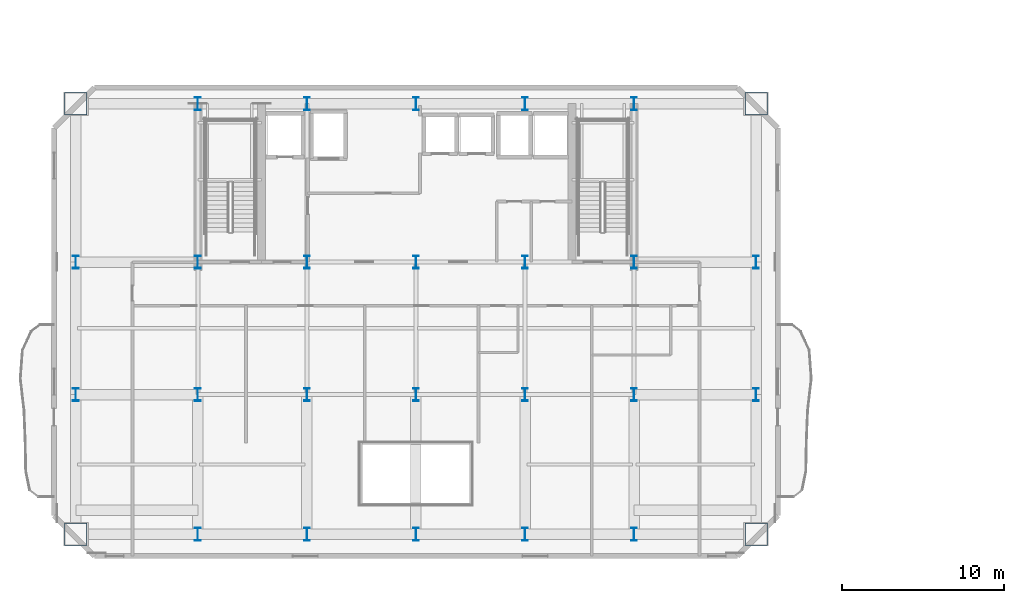
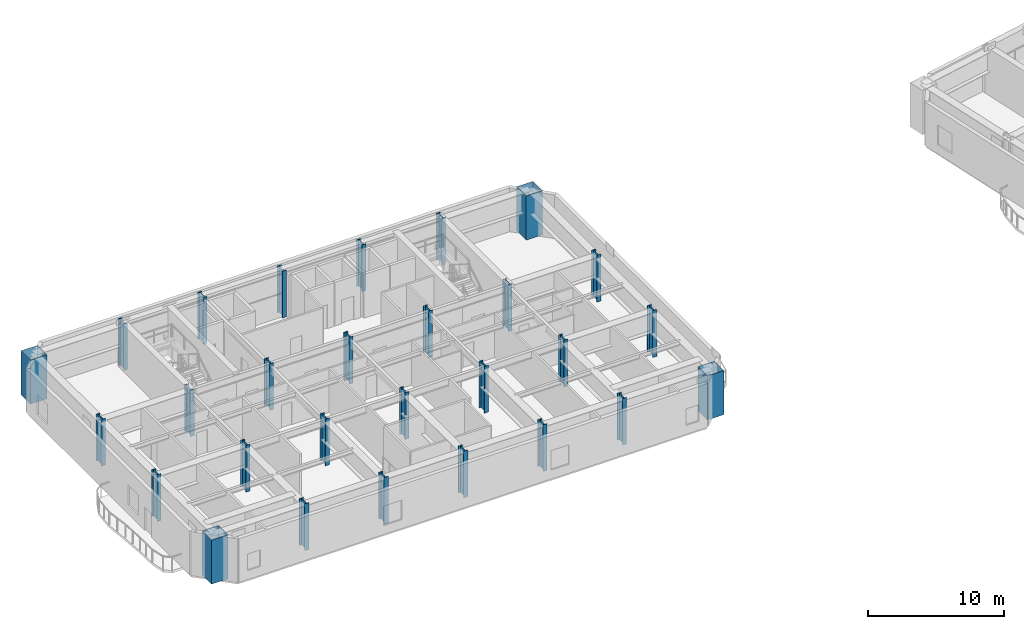
# One storey, part 1 of 15: 28 columns.
"""IFC4 building model written with IfcOpenShell, lengths in metres."""

from ifc_helpers import new_model, si_unit, direction, frame, origin, origin_2d, place, context, subcontext, project, spatial, hollow_rectangle, i_section, extrude, material, material_profile, profile_set, type_object, element, save


model = new_model("IFC4")

# Units and contexts
model_context = context("Model", 3, precision=1e-05, world=origin(), true_north=direction((0.0, 1.0)))
body_context = subcontext(model_context, "Body", "Model", "MODEL_VIEW")
ifc_project = project(units=[si_unit("LENGTHUNIT", "METRE"), si_unit("AREAUNIT", "SQUARE_METRE"), si_unit("VOLUMEUNIT", "CUBIC_METRE"), si_unit("PLANEANGLEUNIT", "RADIAN"), si_unit("MASSUNIT", "GRAM", prefix="KILO")], contexts=[model_context])

# Site, building, storey
site_placement = place(None, origin())
site = spatial("IfcSite", under=ifc_project, at=site_placement, CompositionType="ELEMENT")
building_placement = place(site_placement, origin())
building = spatial("IfcBuilding", under=site, at=building_placement, Name="Haevon Station Towers", CompositionType="ELEMENT")
storey_placement = place(building_placement, frame((0.0, 0.0, 129.60009765625)))
storey = spatial("IfcBuildingStorey", under=building, at=storey_placement, Name="L35", CompositionType="ELEMENT", Elevation=129.60009765625)

# Columns
ifc_material = material(Name="Steel S460", Category="steel")
ifc_material_profile_1 = material_profile(ifc_material, hollow_rectangle(XDim=1.39990234375, YDim=1.39990234375, WallThickness=0.035888671875, at=origin_2d()), Name="BOX-1400x1400x36")
ifc_profile_set_1 = profile_set([ifc_material_profile_1], Name="Steel S460")
column_type_1 = type_object("IfcColumnType", Name="COL-MC3", PredefinedType="COLUMN", material=ifc_profile_set_1)
for number, where, z_axis, x_axis, name in (
    (1, (16.449951171875, 21.35009765625, 0.0), (0.0, 0.0, 1.0), (1.0, 0.0, 0.0), "COL-T1-L35-01-01"),
    (2, (16.449951171875, 48.0, 0.0), (0.0, 0.0, 1.0), (1.0, 0.0, 0.0), "COL-T1-L35-01-04"),
    (3, (58.550048828125, 21.35009765625, 0.0), (0.0, 0.0, 1.0), (1.0, 0.0, 0.0), "COL-T1-L35-07-01"),
    (4, (58.550048828125, 48.0, 0.0), (0.0, 0.0, 1.0), (1.0, 0.0, 0.0), "COL-T1-L35-07-04"),
):
    element("IfcColumn", number, at=place(storey_placement, frame(where, z_axis=z_axis, x_axis=x_axis)), inside=storey, type_object=column_type_1, Name=name, PredefinedType="COLUMN", context=body_context, shape_type="SweptSolid", body=[
        extrude(hollow_rectangle(XDim=1.39990234375, YDim=1.39990234375, WallThickness=0.035888671875, at=origin_2d()), origin(), (0.0, 0.0, 1.0), 3.949951171875),
    ])
ifc_material_profile_2 = material_profile(ifc_material, i_section(OverallWidth=0.35009765625, OverallDepth=0.800048828125, WebThickness=0.01806640625, FlangeThickness=0.031982421875, at=origin_2d()), Name="H-800x350x18x32")
ifc_profile_set_2 = profile_set([ifc_material_profile_2], Name="Steel S460")
column_type_2 = type_object("IfcColumnType", Name="COL-TW2", PredefinedType="COLUMN", material=ifc_profile_set_2)
for number, where, z_axis, x_axis, name in (
    (5, (16.449951171875, 30.0, 0.0), (0.0, 0.0, 1.0), (1.0, 0.0, 0.0), "COL-T1-L35-01-02"),
    (6, (16.449951171875, 38.199951171875, 0.0), (0.0, 0.0, 1.0), (1.0, 0.0, 0.0), "COL-T1-L35-01-03"),
    (7, (24.0, 21.35009765625, 0.0), (0.0, 0.0, 1.0), (1.0, 0.0, 0.0), "COL-T1-L35-02-01"),
    (8, (24.0, 30.0, 0.0), (0.0, 0.0, 1.0), (1.0, 0.0, 0.0), "COL-T1-L35-02-02"),
    (9, (24.0, 38.199951171875, 0.0), (0.0, 0.0, 1.0), (1.0, 0.0, 0.0), "COL-T1-L35-02-03"),
    (10, (24.0, 48.0, 0.0), (0.0, 0.0, 1.0), (1.0, 0.0, 0.0), "COL-T1-L35-02-04"),
    (11, (30.75, 21.35009765625, 0.0), (0.0, 0.0, 1.0), (1.0, 0.0, 0.0), "COL-T1-L35-03-01"),
    (12, (30.75, 30.0, 0.0), (0.0, 0.0, 1.0), (1.0, 0.0, 0.0), "COL-T1-L35-03-02"),
    (13, (30.75, 38.199951171875, 0.0), (0.0, 0.0, 1.0), (1.0, 0.0, 0.0), "COL-T1-L35-03-03"),
    (14, (30.75, 48.0, 0.0), (0.0, 0.0, 1.0), (1.0, 0.0, 0.0), "COL-T1-L35-03-04"),
    (15, (37.5, 21.35009765625, 0.0), (0.0, 0.0, 1.0), (1.0, 0.0, 0.0), "COL-T1-L35-04-01"),
    (16, (37.5, 30.0, 0.0), (0.0, 0.0, 1.0), (1.0, 0.0, 0.0), "COL-T1-L35-04-02"),
    (17, (37.5, 38.199951171875, 0.0), (0.0, 0.0, 1.0), (1.0, 0.0, 0.0), "COL-T1-L35-04-03"),
    (18, (37.5, 48.0, 0.0), (0.0, 0.0, 1.0), (1.0, 0.0, 0.0), "COL-T1-L35-04-04"),
    (19, (44.25, 21.35009765625, 0.0), (0.0, 0.0, 1.0), (1.0, 0.0, 0.0), "COL-T1-L35-05-01"),
    (20, (44.25, 30.0, 0.0), (0.0, 0.0, 1.0), (1.0, 0.0, 0.0), "COL-T1-L35-05-02"),
    (21, (44.25, 38.199951171875, 0.0), (0.0, 0.0, 1.0), (1.0, 0.0, 0.0), "COL-T1-L35-05-03"),
    (22, (44.25, 48.0, 0.0), (0.0, 0.0, 1.0), (1.0, 0.0, 0.0), "COL-T1-L35-05-04"),
    (23, (51.0, 21.35009765625, 0.0), (0.0, 0.0, 1.0), (1.0, 0.0, 0.0), "COL-T1-L35-06-01"),
    (24, (51.0, 30.0, 0.0), (0.0, 0.0, 1.0), (1.0, 0.0, 0.0), "COL-T1-L35-06-02"),
    (25, (51.0, 38.199951171875, 0.0), (0.0, 0.0, 1.0), (1.0, 0.0, 0.0), "COL-T1-L35-06-03"),
    (26, (51.0, 48.0, 0.0), (0.0, 0.0, 1.0), (1.0, 0.0, 0.0), "COL-T1-L35-06-04"),
    (27, (58.550048828125, 30.0, 0.0), (0.0, 0.0, 1.0), (1.0, 0.0, 0.0), "COL-T1-L35-07-02"),
    (28, (58.550048828125, 38.199951171875, 0.0), (0.0, 0.0, 1.0), (1.0, 0.0, 0.0), "COL-T1-L35-07-03"),
):
    element("IfcColumn", number, at=place(storey_placement, frame(where, z_axis=z_axis, x_axis=x_axis)), inside=storey, type_object=column_type_2, Name=name, PredefinedType="COLUMN", context=body_context, shape_type="SweptSolid", body=[
        extrude(i_section(OverallWidth=0.35009765625, OverallDepth=0.800048828125, WebThickness=0.01806640625, FlangeThickness=0.031982421875, at=origin_2d()), origin(), (0.0, 0.0, 1.0), 4.199951171875),
    ])

save(model, "model.ifc")
